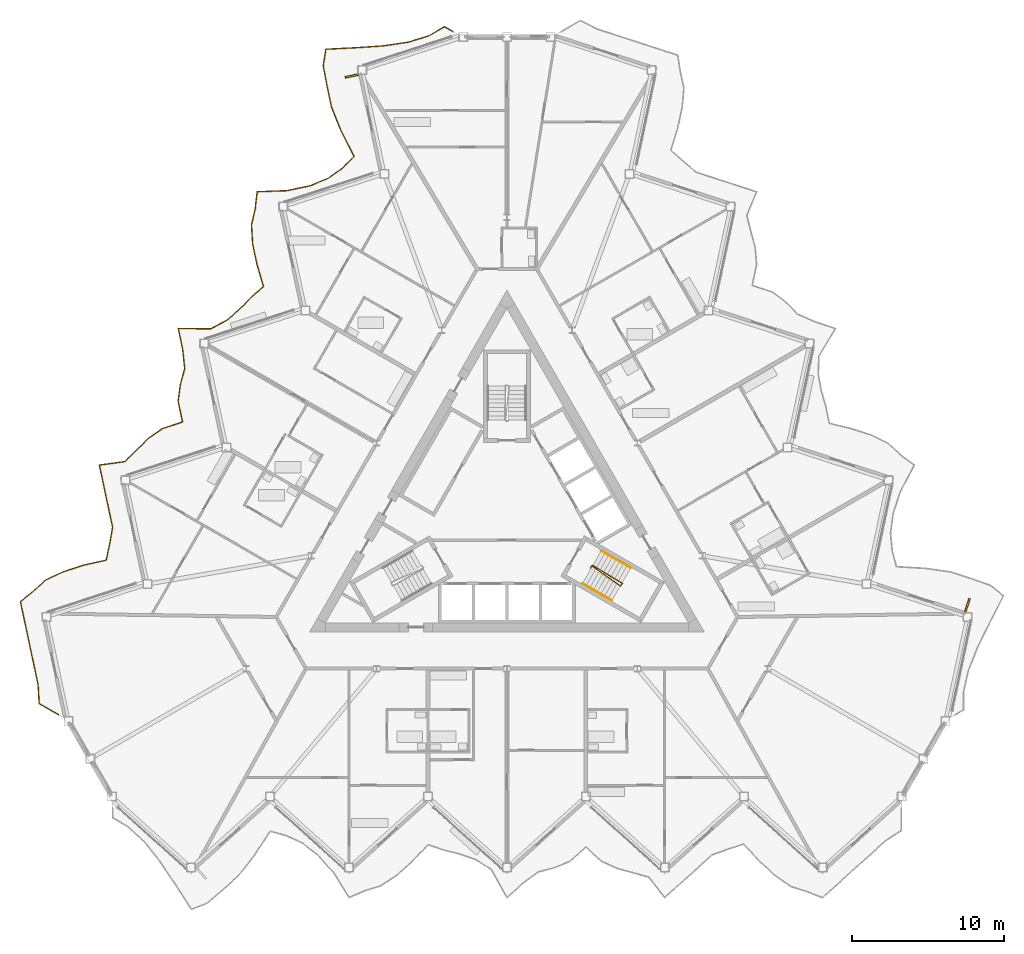
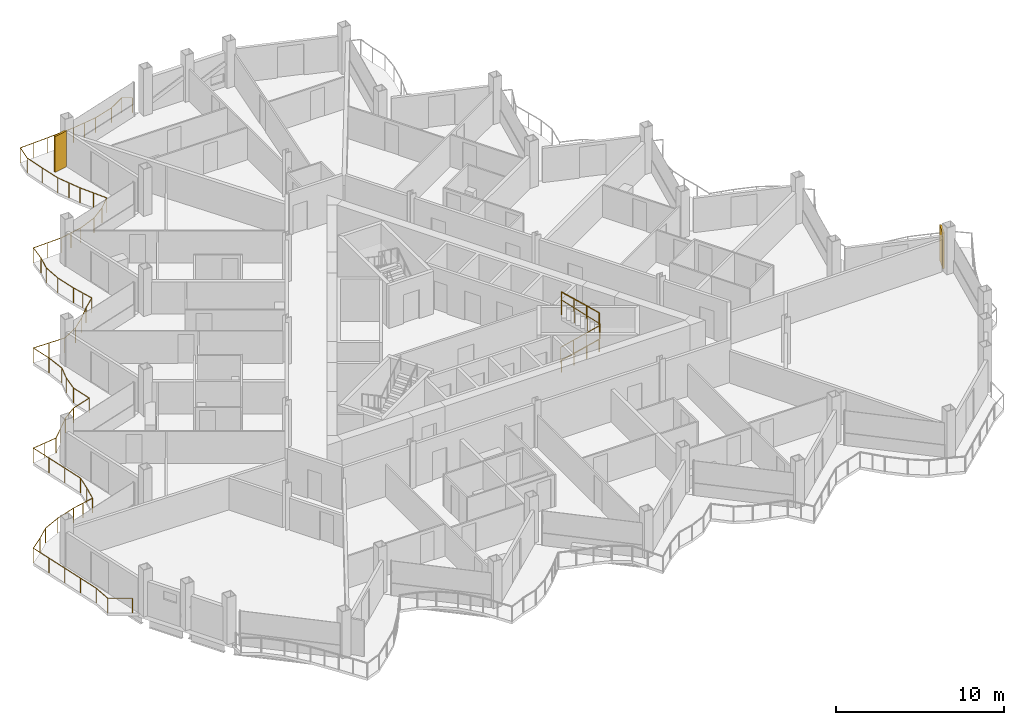
# One storey, part 23 of 26: 4 railings, 2 shading devices.
"""IFC4 building model written with IfcOpenShell, lengths in metres."""

import ifcopenshell
import ifcopenshell.guid

model = None  # the IFC model being written
_history = None  # IfcOwnerHistory: only IFC2X3 demands one
_inside = {}  # id of a spatial element -> (the spatial element, [elements in it])
_under = {}  # id of a project, library or spatial element -> (it, [spatial elements below it])
_declared = {}  # id of a project -> (the project, [libraries it declares])
_typed = {}  # id of a type object -> (the type object, [elements of that type])
_made_of = {}  # id of a material, layer set ... -> (it, [elements and type objects made of it])


def new_model(schema):
    """Start an empty IFC model of exactly this schema.

    Asked for "IFC4X3", IfcOpenShell would pick the latest addendum, in which some entities
    have other attributes; the version numbers below select the first issue.
    IFC2X3 requires an IfcOwnerHistory on every rooted entity: one is made here for all.
    """
    global model, _history
    if schema == "IFC4X3":
        model = ifcopenshell.file(schema_version=(4, 3, 0, 0))
    else:
        model = ifcopenshell.file(schema=schema)
    _inside.clear()
    _under.clear()
    _declared.clear()
    _typed.clear()
    _made_of.clear()
    _history = None
    if model.schema == "IFC2X3":
        org = make("IfcOrganization", Name="unknown")
        user = make(
            "IfcPersonAndOrganization",
            ThePerson=make("IfcPerson", FamilyName="unknown"),
            TheOrganization=org,
        )
        app = make(
            "IfcApplication",
            ApplicationDeveloper=org,
            Version="unknown",
            ApplicationFullName="unknown",
            ApplicationIdentifier="unknown",
        )
        _history = make(
            "IfcOwnerHistory",
            OwningUser=user,
            OwningApplication=app,
            ChangeAction="ADDED",
            CreationDate=0,
        )
    return model


def make(cls, **values):
    """One entity of the class cls with the attributes given. An attribute that is None is left unset."""
    return model.create_entity(
        cls, **{name: value for name, value in values.items() if value is not None}
    )


def rooted(cls, **values):
    """An entity with a GlobalId (a new one), such as an element, a storey or a relation."""
    return make(cls, GlobalId=ifcopenshell.guid.new(), OwnerHistory=_history, **values)


def si_unit(unit_type, name, prefix=None):
    """IfcSIUnit, for example si_unit("LENGTHUNIT", "METRE", prefix="MILLI")."""
    return make("IfcSIUnit", UnitType=unit_type, Prefix=prefix, Name=name)


def assignment(units):
    """IfcUnitAssignment: the units of a project."""
    return None if units is None else make("IfcUnitAssignment", Units=units)


def point(xyz):
    """IfcCartesianPoint."""
    return None if xyz is None else make("IfcCartesianPoint", Coordinates=xyz)


def direction(xyz):
    """IfcDirection."""
    return None if xyz is None else make("IfcDirection", DirectionRatios=xyz)


def frame(location, z_axis=None, x_axis=None):
    """IfcAxis2Placement3D, a coordinate frame: its origin and axes. An axis left out is left unset."""
    return make(
        "IfcAxis2Placement3D",
        Location=point(location),
        Axis=direction(z_axis),
        RefDirection=direction(x_axis),
    )


def frame_2d(location, x_axis=None):
    """IfcAxis2Placement2D, a coordinate frame in the plane: its origin and x axis."""
    return make(
        "IfcAxis2Placement2D", Location=point(location), RefDirection=direction(x_axis)
    )


def origin():
    """The frame at (0, 0, 0) with its axes left unset."""
    return frame((0.0, 0.0, 0.0))


def origin_2d():
    """The frame at (0, 0) in the plane with its x axis left unset."""
    return frame_2d((0.0, 0.0))


def place(relative_to, where):
    """IfcLocalPlacement: puts the frame where relative to a parent placement (None: the world)."""
    return make(
        "IfcLocalPlacement", PlacementRelTo=relative_to, RelativePlacement=where
    )


def context(
    kind, dimensions, precision=None, world=None, true_north=None, identifier=None
):
    """IfcGeometricRepresentationContext, for example the 3D "Model" context."""
    return make(
        "IfcGeometricRepresentationContext",
        ContextIdentifier=identifier,
        ContextType=kind,
        CoordinateSpaceDimension=dimensions,
        Precision=precision,
        WorldCoordinateSystem=world,
        TrueNorth=true_north,
    )


def subcontext(parent, identifier, kind, view, scale=None):
    """IfcGeometricRepresentationSubContext, for example "Body" below "Model"."""
    return make(
        "IfcGeometricRepresentationSubContext",
        ContextIdentifier=identifier,
        ContextType=kind,
        ParentContext=parent,
        TargetScale=scale,
        TargetView=view,
    )


def project(units=None, contexts=None):
    """IfcProject with its units and contexts."""
    return rooted(
        "IfcProject",
        Name="project",
        RepresentationContexts=contexts,
        UnitsInContext=assignment(units),
    )


def spatial(cls, under=None, at=None, **own):
    """A site, building, storey or space (cls), placed at a placement, below another one or the project."""
    s = rooted(cls, ObjectPlacement=at, **own)
    if under is not None:
        _under.setdefault(under.id(), (under, []))[1].append(s)
    return s


def profile(cls, at=None, kind="AREA", **sizes):
    """A parametric profile (cls). Its sizes go by their IFC names, for example OverallWidth=200.0."""
    return make(cls, ProfileType=kind, Position=at, **sizes)


def rectangle(**sizes):
    """IfcRectangleProfileDef."""
    return profile("IfcRectangleProfileDef", **sizes)


def circle(**sizes):
    """IfcCircleProfileDef."""
    return profile("IfcCircleProfileDef", **sizes)


def extrude(swept, where, along, depth):
    """IfcExtrudedAreaSolid: the profile swept, set in the frame where, extruded along a direction by depth."""
    return make(
        "IfcExtrudedAreaSolid",
        SweptArea=swept,
        Position=where,
        ExtrudedDirection=direction(along),
        Depth=depth,
    )


def shape(context_of_items, identifier, shape_type, items):
    """IfcShapeRepresentation: the items that make up one representation, for example the "Body"."""
    return make(
        "IfcShapeRepresentation",
        ContextOfItems=context_of_items,
        RepresentationIdentifier=identifier,
        RepresentationType=shape_type,
        Items=items,
    )


def material(Name=None, Category=None):
    """IfcMaterial."""
    return make("IfcMaterial", Name=Name, Category=Category)


def layer(
    of_material, thickness, ventilated=None, Name=None, Category=None, Priority=None
):
    """IfcMaterialLayer: one layer of a wall or slab, of a material (None: an air gap)."""
    return make(
        "IfcMaterialLayer",
        Material=of_material,
        LayerThickness=thickness,
        IsVentilated=ventilated,
        Name=Name,
        Category=Category,
        Priority=Priority,
    )


def layer_set(layers, Name=None):
    """IfcMaterialLayerSet."""
    return make("IfcMaterialLayerSet", MaterialLayers=layers, LayerSetName=Name)


def made_of(thing, what):
    """Note that an element or type object is made of a material, layer set ...; save() writes the relation."""
    if what is not None:
        _made_of.setdefault(what.id(), (what, []))[1].append(thing)
    return thing


def type_object(cls, material=None, **own):
    """A type object (cls), such as IfcWallType, which elements share."""
    return made_of(rooted(cls, **own), material)


def element(
    cls,
    number,
    at=None,
    inside=None,
    cuts=None,
    type_object=None,
    material=None,
    context=None,
    identifier="Body",
    shape_type=None,
    held_by="IfcProductDefinitionShape",
    body=None,
    shapes=None,
    **own,
):
    """One element of the class cls, such as IfcWall. Its Tag is "e" and its number.

    at: its placement. inside: the storey or other place that contains it. cuts: it is an
    opening in that element (IfcRelVoidsElement). A single representation is given by context,
    identifier, shape_type and body (its items); several are given by shapes. held_by: the class
    of the entity that holds the representations. save() writes the other relations.
    """
    e = rooted(cls, Tag="e%d" % number, ObjectPlacement=at, **own)
    if body is not None:
        shapes = [shape(context, identifier, shape_type, body)]
    if shapes is not None:
        e.Representation = make(held_by, Representations=shapes)
    if inside is not None:
        _inside.setdefault(inside.id(), (inside, []))[1].append(e)
    if cuts is not None:
        rooted(
            "IfcRelVoidsElement", RelatingBuildingElement=cuts, RelatedOpeningElement=e
        )
    if type_object is not None:
        _typed.setdefault(type_object.id(), (type_object, []))[1].append(e)
    return made_of(e, material)


def aggregate(whole, parts):
    """IfcRelAggregates: a whole, such as a stair, and the parts it consists of."""
    return rooted("IfcRelAggregates", RelatingObject=whole, RelatedObjects=parts)


def save(model, path):
    """Write the relations noted so far, then the file.

    IfcRelAggregates (storeys below a building ...), IfcRelContainedInSpatialStructure (elements
    in a storey), IfcRelDefinesByType, IfcRelAssociatesMaterial and IfcRelDeclares: one each for
    every whole, place, type object, material and project.
    """
    for whole, parts in _under.values():
        aggregate(whole, parts)
    for where, things in _inside.values():
        rooted(
            "IfcRelContainedInSpatialStructure",
            RelatedElements=things,
            RelatingStructure=where,
        )
    for kind, things in _typed.values():
        rooted("IfcRelDefinesByType", RelatedObjects=things, RelatingType=kind)
    for what, things in _made_of.values():
        rooted("IfcRelAssociatesMaterial", RelatedObjects=things, RelatingMaterial=what)
    for by, libraries in _declared.values():
        rooted("IfcRelDeclares", RelatingContext=by, RelatedDefinitions=libraries)
    model.write(path)


model = new_model("IFC4")

# Units and contexts
model_context = context("Model", 3, precision=1e-05, world=origin(), true_north=direction((0.0, 1.0)))
body_context = subcontext(model_context, "Body", "Model", "MODEL_VIEW")
ifc_project = project(units=[si_unit("LENGTHUNIT", "METRE"), si_unit("AREAUNIT", "SQUARE_METRE"), si_unit("VOLUMEUNIT", "CUBIC_METRE"), si_unit("PLANEANGLEUNIT", "RADIAN"), si_unit("MASSUNIT", "GRAM", prefix="KILO")], contexts=[model_context])

# Site, building, storey
site_placement = place(None, origin())
site = spatial("IfcSite", under=ifc_project, at=site_placement, CompositionType="ELEMENT")
building_placement = place(site_placement, origin())
building = spatial("IfcBuilding", under=site, at=building_placement, Name="Cormorant Prow Tower", CompositionType="ELEMENT")
storey_placement = place(building_placement, frame((0.0, 0.0, 329.0)))
storey = spatial("IfcBuildingStorey", under=building, at=storey_placement, Name="L73", CompositionType="ELEMENT", Elevation=329.0)

# Railings
ifc_material_1 = material(Name="Aluminium 6063-T6", Category="aluminium")
railing_type_1 = type_object("IfcRailingType", Name="Balcony guard 1100", PredefinedType="GUARDRAIL", material=ifc_material_1)
railing_1_placement = place(storey_placement, frame((-3.552734375, 32.042724609375, 0.0)))
element("IfcRailing", 1, at=railing_1_placement, inside=storey, type_object=railing_type_1, Name="Balcony guard WNW", PredefinedType="GUARDRAIL", context=body_context, shape_type="SweptSolid", body=[
    extrude(circle(Radius=0.02392578125, at=origin_2d()), frame((0.0, 0.0, 1.076171875), z_axis=(-0.865942655036, 0.500143297656, 0.0), x_axis=(-0.500143297656, -0.865942655036, 0.0)), (0.0, 0.0, 1.0), 0.635986328125),
    extrude(circle(Radius=0.02392578125, at=origin_2d()), frame((-0.55078125, 0.318115234375, 1.076171875), z_axis=(-0.867592362836, -0.497276072166, 0.0), x_axis=(0.497276072166, -0.867592362836, 0.0)), (0.0, 0.0, 1.0), 1.201904296875),
    extrude(circle(Radius=0.02392578125, at=origin_2d()), frame((-1.593505859375, -0.279541015625, 1.076171875), z_axis=(-0.955146594273, -0.296133387932, 0.0), x_axis=(0.296133387932, -0.955146594273, 0.0)), (0.0, 0.0, 1.0), 1.41552734375),
    extrude(circle(Radius=0.02392578125, at=origin_2d()), frame((-2.945556640625, -0.69873046875, 1.076171875), z_axis=(-0.989266853601, -0.146120129918, 0.0), x_axis=(0.146120129918, -0.989266853601, 0.0)), (0.0, 0.0, 1.0), 1.672607421875),
    extrude(circle(Radius=0.02392578125, at=origin_2d()), frame((-4.60009765625, -0.943115234375, 1.076171875), z_axis=(-0.997771824229, -0.066718713827, 0.0), x_axis=(0.066718713827, -0.997771824229, 0.0)), (0.0, 0.0, 1.0), 1.8662109375),
    extrude(circle(Radius=0.02392578125, at=origin_2d()), frame((-6.462158203125, -1.067626953125, 1.076171875), z_axis=(-0.998756785934, -0.049848596285, 0.0), x_axis=(0.049848596285, -0.998756785934, 0.0)), (0.0, 0.0, 1.0), 1.9150390625),
    extrude(circle(Radius=0.02392578125, at=origin_2d()), frame((-8.374755859375, -1.1630859375, 1.076171875), z_axis=(-0.154330068831, -0.988019346903, 0.0), x_axis=(0.988019346903, -0.154330068831, 0.0)), (0.0, 0.0, 1.0), 1.11376953125),
    extrude(circle(Radius=0.02392578125, at=origin_2d()), frame((-8.546630859375, -2.263427734375, 1.076171875), z_axis=(0.185482522834, -0.982647563332, 0.0), x_axis=(0.982647563332, 0.185482522834, 0.0)), (0.0, 0.0, 1.0), 1.3701171875),
    extrude(circle(Radius=0.02392578125, at=origin_2d()), frame((-8.29248046875, -3.60986328125, 1.076171875), z_axis=(0.207954815096, -0.978138433392, 0.0), x_axis=(0.978138433392, 0.207954815096, 0.0)), (0.0, 0.0, 1.0), 1.398193359375),
    extrude(circle(Radius=0.02392578125, at=origin_2d()), frame((-8.001708984375, -4.9775390625, 1.076171875), z_axis=(0.372940159502, -0.927855396832, 0.0), x_axis=(0.927855396832, 0.372940159502, 0.0)), (0.0, 0.0, 1.0), 1.683837890625),
    extrude(circle(Radius=0.02392578125, at=origin_2d()), frame((-7.373779296875, -6.539794921875, 1.076171875), z_axis=(0.450609247679, -0.892721292401, 0.0), x_axis=(0.892721292401, 0.450609247679, 0.0)), (0.0, 0.0, 1.0), 1.896240234375),
    extrude(circle(Radius=0.02392578125, at=origin_2d()), frame((-6.519287109375, -8.232666015625, 1.076171875), z_axis=(-0.709370954511, -0.704835334597, 0.0), x_axis=(0.704835334597, -0.709370954511, 0.0)), (0.0, 0.0, 1.0), 1.07666015625),
    extrude(circle(Radius=0.02392578125, at=origin_2d()), frame((-7.282958984375, -8.991455078125, 1.076171875), z_axis=(-0.812908325419, -0.582391667579, 0.0), x_axis=(0.582391667579, -0.812908325419, 0.0)), (0.0, 0.0, 1.0), 1.140625),
    extrude(circle(Radius=0.02392578125, at=origin_2d()), frame((-8.210205078125, -9.65576171875, 1.076171875), z_axis=(-0.923841835791, -0.382774427624, 0.0), x_axis=(0.382774427624, -0.923841835791, 0.0)), (0.0, 0.0, 1.0), 1.309326171875),
    extrude(circle(Radius=0.02392578125, at=origin_2d()), frame((-9.419921875, -10.156982421875, 1.076171875), z_axis=(-0.978977815061, -0.20396675616, 0.0), x_axis=(0.20396675616, -0.978977815061, 0.0)), (0.0, 0.0, 1.0), 1.5595703125),
    extrude(circle(Radius=0.02392578125, at=origin_2d()), frame((-10.94677734375, -10.47509765625, 1.076171875), z_axis=(-0.999311062654, -0.037113340704, 0.0), x_axis=(0.037113340704, -0.999311062654, 0.0)), (0.0, 0.0, 1.0), 1.953857421875),
    extrude(circle(Radius=0.02392578125, at=origin_2d()), frame((-12.899169921875, -10.547607421875, 1.076171875), z_axis=(-0.110644159424, -0.993860085719, 0.0), x_axis=(0.993860085719, -0.110644159424, 0.0)), (0.0, 0.0, 1.0), 1.13427734375),
    extrude(circle(Radius=0.02392578125, at=origin_2d()), frame((-13.024658203125, -11.6748046875, 1.076171875), z_axis=(-0.225893573329, -0.974151986873, 0.0), x_axis=(0.974151986873, -0.225893573329, 0.0)), (0.0, 0.0, 1.0), 1.086181640625),
    extrude(circle(Radius=0.02392578125, at=origin_2d()), frame((-13.27001953125, -12.73291015625, 1.076171875), z_axis=(0.059262671878, -0.998242423323, 0.0), x_axis=(0.998242423323, 0.059262671878, 0.0)), (0.0, 0.0, 1.0), 1.244140625),
    extrude(circle(Radius=0.02392578125, at=origin_2d()), frame((-13.1962890625, -13.974853515625, 1.076171875), z_axis=(0.20778775162, -0.978173936617, 0.0), x_axis=(0.978173936617, 0.20778775162, 0.0)), (0.0, 0.0, 1.0), 1.398193359375),
    extrude(circle(Radius=0.02392578125, at=origin_2d()), frame((-12.90576171875, -15.342529296875, 1.076171875), z_axis=(0.281102933169, -0.959677623457, 0.0), x_axis=(0.959677623457, 0.281102933169, 0.0)), (0.0, 0.0, 1.0), 1.504150390625),
    extrude(circle(Radius=0.02392578125, at=origin_2d()), frame((-12.48291015625, -16.7861328125, 1.076171875), z_axis=(-0.750032788216, -0.661400647566, 0.0), x_axis=(0.661400647566, -0.750032788216, 0.0)), (0.0, 0.0, 1.0), 1.09619140625),
    extrude(circle(Radius=0.02392578125, at=origin_2d()), frame((-13.30517578125, -17.51123046875, 1.076171875), z_axis=(-0.693869586503, -0.72010068527, 0.0), x_axis=(0.72010068527, -0.693869586503, 0.0)), (0.0, 0.0, 1.0), 1.0703125),
    extrude(circle(Radius=0.02392578125, at=origin_2d()), frame((-14.0478515625, -18.281982421875, 1.076171875), z_axis=(-0.759115778232, -0.650955632312, 0.0), x_axis=(0.650955632312, -0.759115778232, 0.0)), (0.0, 0.0, 1.0), 1.1015625),
    extrude(circle(Radius=0.02392578125, at=origin_2d()), frame((-14.884033203125, -18.9990234375, 1.076171875), z_axis=(-0.880156171163, -0.474684225948, 0.0), x_axis=(0.474684225948, -0.880156171163, 0.0)), (0.0, 0.0, 1.0), 1.220458984375),
    extrude(circle(Radius=0.02392578125, at=origin_2d()), frame((-15.958251953125, -19.578369140625, 1.076171875), z_axis=(-0.999877393438, 0.015658802344, 0.0), x_axis=(-0.015658802344, -0.999877393438, 0.0)), (0.0, 0.0, 1.0), 2.135986328125),
    extrude(circle(Radius=0.02392578125, at=origin_2d()), frame((-18.093994140625, -19.544921875, 1.076171875), z_axis=(0.207990337228, -0.978130880619, 0.0), x_axis=(0.978130880619, 0.207990337228, 0.0)), (0.0, 0.0, 1.0), 1.39794921875),
    extrude(circle(Radius=0.02392578125, at=origin_2d()), frame((-17.80322265625, -20.912353515625, 1.076171875), z_axis=(0.107350103954, -0.994221280793, 0.0), x_axis=(0.994221280793, 0.107350103954, 0.0)), (0.0, 0.0, 1.0), 1.287109375),
    extrude(circle(Radius=0.02392578125, at=origin_2d()), frame((-17.6650390625, -22.192138671875, 1.076171875), z_axis=(-0.267620389607, -0.963524429927, 0.0), x_axis=(0.963524429927, -0.267620389607, 0.0)), (0.0, 0.0, 1.0), 1.07275390625),
    extrude(circle(Radius=0.02392578125, at=origin_2d()), frame((-17.9521484375, -23.225830078125, 1.076171875), z_axis=(-0.132078343747, -0.991239280453, 0.0), x_axis=(0.991239280453, -0.132078343747, 0.0)), (0.0, 0.0, 1.0), 1.123779296875),
    extrude(circle(Radius=0.02392578125, at=origin_2d()), frame((-18.1005859375, -24.33984375, 1.076171875), z_axis=(0.207954815096, -0.978138433392, 0.0), x_axis=(0.978138433392, 0.207954815096, 0.0)), (0.0, 0.0, 1.0), 1.398193359375),
    extrude(circle(Radius=0.02392578125, at=origin_2d()), frame((-17.809814453125, -25.70751953125, 1.076171875), z_axis=(-0.95108282544, -0.308936011422, 0.0), x_axis=(0.308936011422, -0.95108282544, 0.0)), (0.0, 0.0, 1.0), 1.39794921875),
    extrude(circle(Radius=0.02392578125, at=origin_2d()), frame((-19.139404296875, -26.139404296875, 1.076171875), z_axis=(-0.817192442339, -0.576364912347, 0.0), x_axis=(0.576364912347, -0.817192442339, 0.0)), (0.0, 0.0, 1.0), 1.14453125),
    extrude(circle(Radius=0.02392578125, at=origin_2d()), frame((-20.07470703125, -26.799072265625, 1.076171875), z_axis=(-0.704602966068, -0.7096017617, 0.0), x_axis=(0.7096017617, -0.704602966068, 0.0)), (0.0, 0.0, 1.0), 1.074462890625),
    extrude(circle(Radius=0.02392578125, at=origin_2d()), frame((-20.831787109375, -27.5615234375, 1.076171875), z_axis=(-0.716762582334, -0.697317288302, 0.0), x_axis=(0.697317288302, -0.716762582334, 0.0)), (0.0, 0.0, 1.0), 1.079833984375),
    extrude(circle(Radius=0.02392578125, at=origin_2d()), frame((-21.605712890625, -28.314453125, 1.076171875), z_axis=(-0.990944412172, -0.134272752208, 0.0), x_axis=(0.134272752208, -0.990944412172, 0.0)), (0.0, 0.0, 1.0), 1.6982421875),
    extrude(circle(Radius=0.02392578125, at=origin_2d()), frame((-23.28857421875, -28.54248046875, 1.076171875), z_axis=(0.207823247792, -0.9781663957, 0.0), x_axis=(0.9781663957, 0.207823247792, 0.0)), (0.0, 0.0, 1.0), 1.39794921875),
    extrude(circle(Radius=0.02392578125, at=origin_2d()), frame((-22.998046875, -29.909912109375, 1.076171875), z_axis=(0.207990337228, -0.978130880619, 0.0), x_axis=(0.978130880619, 0.207990337228, 0.0)), (0.0, 0.0, 1.0), 1.39794921875),
    extrude(circle(Radius=0.02392578125, at=origin_2d()), frame((-22.707275390625, -31.27734375, 1.076171875), z_axis=(0.20778775162, -0.978173936617, 0.0), x_axis=(0.978173936617, 0.20778775162, 0.0)), (0.0, 0.0, 1.0), 1.398193359375),
    extrude(circle(Radius=0.02392578125, at=origin_2d()), frame((-22.416748046875, -32.64501953125, 1.076171875), z_axis=(-0.171695073969, -0.985150141641, 0.0), x_axis=(0.985150141641, -0.171695073969, 0.0)), (0.0, 0.0, 1.0), 1.106201171875),
    extrude(circle(Radius=0.02392578125, at=origin_2d()), frame((-22.606689453125, -33.73486328125, 1.076171875), z_axis=(-0.210720517244, -0.977546348575, 0.0), x_axis=(0.977546348575, -0.210720517244, 0.0)), (0.0, 0.0, 1.0), 1.09130859375),
    extrude(circle(Radius=0.02392578125, at=origin_2d()), frame((-22.836669921875, -34.8017578125, 1.076171875), z_axis=(-0.975845165499, -0.218463298913, 0.0), x_axis=(0.218463298913, -0.975845165499, 0.0)), (0.0, 0.0, 1.0), 1.534423828125),
    extrude(circle(Radius=0.02392578125, at=origin_2d()), frame((-24.333984375, -35.136962890625, 1.076171875), z_axis=(-0.95108282544, -0.308936011422, 0.0), x_axis=(0.308936011422, -0.95108282544, 0.0)), (0.0, 0.0, 1.0), 1.39794921875),
    extrude(circle(Radius=0.02392578125, at=origin_2d()), frame((-25.66357421875, -35.56884765625, 1.076171875), z_axis=(-0.906546522167, -0.422105914608, 0.0), x_axis=(0.422105914608, -0.906546522167, 0.0)), (0.0, 0.0, 1.0), 1.26904296875),
    extrude(circle(Radius=0.02392578125, at=origin_2d()), frame((-26.81396484375, -36.1044921875, 1.076171875), z_axis=(-0.738732761522, -0.673998447368, 0.0), x_axis=(0.673998447368, -0.738732761522, 0.0)), (0.0, 0.0, 1.0), 1.08984375),
    extrude(circle(Radius=0.02392578125, at=origin_2d()), frame((-27.619140625, -36.839111328125, 1.076171875), z_axis=(-0.776677419961, -0.629898551612, 0.0), x_axis=(0.629898551612, -0.776677419961, 0.0)), (0.0, 0.0, 1.0), 1.11279296875),
    extrude(circle(Radius=0.02392578125, at=origin_2d()), frame((-28.4833984375, -37.5400390625, 1.076171875), z_axis=(0.207823247792, -0.9781663957, 0.0), x_axis=(0.9781663957, 0.207823247792, 0.0)), (0.0, 0.0, 1.0), 1.39794921875),
    extrude(circle(Radius=0.02392578125, at=origin_2d()), frame((-28.19287109375, -38.907470703125, 1.076171875), z_axis=(0.207990337228, -0.978130880619, 0.0), x_axis=(0.978130880619, 0.207990337228, 0.0)), (0.0, 0.0, 1.0), 1.39794921875),
    extrude(circle(Radius=0.02392578125, at=origin_2d()), frame((-27.902099609375, -40.27490234375, 1.076171875), z_axis=(0.207990337228, -0.978130880619, 0.0), x_axis=(0.978130880619, 0.207990337228, 0.0)), (0.0, 0.0, 1.0), 1.39794921875),
    extrude(circle(Radius=0.02392578125, at=origin_2d()), frame((-27.611328125, -41.642333984375, 1.076171875), z_axis=(0.207954815096, -0.978138433392, 0.0), x_axis=(0.978138433392, 0.207954815096, 0.0)), (0.0, 0.0, 1.0), 1.398193359375),
    extrude(circle(Radius=0.02392578125, at=origin_2d()), frame((-27.320556640625, -43.010009765625, 1.076171875), z_axis=(0.058307709242, -0.99829865824, 0.0), x_axis=(0.99829865824, 0.058307709242, 0.0)), (0.0, 0.0, 1.0), 1.24365234375),
    extrude(circle(Radius=0.02392578125, at=origin_2d()), frame((-27.248046875, -44.25146484375, 1.076171875), z_axis=(0.866050237424, -0.499956984408, 0.0), x_axis=(0.499956984408, 0.866050237424, 0.0)), (0.0, 0.0, 1.0), 1.471923828125),
    extrude(circle(Radius=0.02099609375, at=origin_2d()), origin(), (0.0, 0.0, 1.0), 1.052001953125),
    extrude(circle(Radius=0.02099609375, at=origin_2d()), frame((-0.55078125, 0.318115234375, 0.0)), (0.0, 0.0, 1.0), 1.052001953125),
    extrude(circle(Radius=0.02099609375, at=origin_2d()), frame((-1.593505859375, -0.279541015625, 0.0)), (0.0, 0.0, 1.0), 1.052001953125),
    extrude(circle(Radius=0.02099609375, at=origin_2d()), frame((-2.945556640625, -0.69873046875, 0.0)), (0.0, 0.0, 1.0), 1.052001953125),
    extrude(circle(Radius=0.02099609375, at=origin_2d()), frame((-3.77294921875, -0.82080078125, 0.0)), (0.0, 0.0, 1.0), 1.052001953125),
    extrude(circle(Radius=0.02099609375, at=origin_2d()), frame((-4.60009765625, -0.943115234375, 0.0)), (0.0, 0.0, 1.0), 1.052001953125),
    extrude(circle(Radius=0.02099609375, at=origin_2d()), frame((-5.53125, -1.00537109375, 0.0)), (0.0, 0.0, 1.0), 1.052001953125),
    extrude(circle(Radius=0.02099609375, at=origin_2d()), frame((-6.462158203125, -1.067626953125, 0.0)), (0.0, 0.0, 1.0), 1.052001953125),
    extrude(circle(Radius=0.02099609375, at=origin_2d()), frame((-7.41845703125, -1.115234375, 0.0)), (0.0, 0.0, 1.0), 1.052001953125),
    extrude(circle(Radius=0.02099609375, at=origin_2d()), frame((-8.374755859375, -1.1630859375, 0.0)), (0.0, 0.0, 1.0), 1.052001953125),
    extrude(circle(Radius=0.02099609375, at=origin_2d()), frame((-8.546630859375, -2.263427734375, 0.0)), (0.0, 0.0, 1.0), 1.052001953125),
    extrude(circle(Radius=0.02099609375, at=origin_2d()), frame((-8.29248046875, -3.60986328125, 0.0)), (0.0, 0.0, 1.0), 1.052001953125),
    extrude(circle(Radius=0.02099609375, at=origin_2d()), frame((-8.001708984375, -4.9775390625, 0.0)), (0.0, 0.0, 1.0), 1.052001953125),
    extrude(circle(Radius=0.02099609375, at=origin_2d()), frame((-7.687744140625, -5.7587890625, 0.0)), (0.0, 0.0, 1.0), 1.052001953125),
    extrude(circle(Radius=0.02099609375, at=origin_2d()), frame((-7.373779296875, -6.539794921875, 0.0)), (0.0, 0.0, 1.0), 1.052001953125),
    extrude(circle(Radius=0.02099609375, at=origin_2d()), frame((-6.946533203125, -7.38623046875, 0.0)), (0.0, 0.0, 1.0), 1.052001953125),
    extrude(circle(Radius=0.02099609375, at=origin_2d()), frame((-6.519287109375, -8.232666015625, 0.0)), (0.0, 0.0, 1.0), 1.052001953125),
    extrude(circle(Radius=0.02099609375, at=origin_2d()), frame((-7.282958984375, -8.991455078125, 0.0)), (0.0, 0.0, 1.0), 1.052001953125),
    extrude(circle(Radius=0.02099609375, at=origin_2d()), frame((-8.210205078125, -9.65576171875, 0.0)), (0.0, 0.0, 1.0), 1.052001953125),
    extrude(circle(Radius=0.02099609375, at=origin_2d()), frame((-9.419921875, -10.156982421875, 0.0)), (0.0, 0.0, 1.0), 1.052001953125),
    extrude(circle(Radius=0.02099609375, at=origin_2d()), frame((-10.183349609375, -10.31591796875, 0.0)), (0.0, 0.0, 1.0), 1.052001953125),
    extrude(circle(Radius=0.02099609375, at=origin_2d()), frame((-10.94677734375, -10.47509765625, 0.0)), (0.0, 0.0, 1.0), 1.052001953125),
    extrude(circle(Radius=0.02099609375, at=origin_2d()), frame((-11.9228515625, -10.51123046875, 0.0)), (0.0, 0.0, 1.0), 1.052001953125),
    extrude(circle(Radius=0.02099609375, at=origin_2d()), frame((-12.899169921875, -10.547607421875, 0.0)), (0.0, 0.0, 1.0), 1.052001953125),
    extrude(circle(Radius=0.02099609375, at=origin_2d()), frame((-13.024658203125, -11.6748046875, 0.0)), (0.0, 0.0, 1.0), 1.052001953125),
    extrude(circle(Radius=0.02099609375, at=origin_2d()), frame((-13.27001953125, -12.73291015625, 0.0)), (0.0, 0.0, 1.0), 1.052001953125),
    extrude(circle(Radius=0.02099609375, at=origin_2d()), frame((-13.1962890625, -13.974853515625, 0.0)), (0.0, 0.0, 1.0), 1.052001953125),
    extrude(circle(Radius=0.02099609375, at=origin_2d()), frame((-12.90576171875, -15.342529296875, 0.0)), (0.0, 0.0, 1.0), 1.052001953125),
    extrude(circle(Radius=0.02099609375, at=origin_2d()), frame((-12.6943359375, -16.064453125, 0.0)), (0.0, 0.0, 1.0), 1.052001953125),
    extrude(circle(Radius=0.02099609375, at=origin_2d()), frame((-12.48291015625, -16.7861328125, 0.0)), (0.0, 0.0, 1.0), 1.052001953125),
    extrude(circle(Radius=0.02099609375, at=origin_2d()), frame((-13.30517578125, -17.51123046875, 0.0)), (0.0, 0.0, 1.0), 1.052001953125),
    extrude(circle(Radius=0.02099609375, at=origin_2d()), frame((-14.0478515625, -18.281982421875, 0.0)), (0.0, 0.0, 1.0), 1.052001953125),
    extrude(circle(Radius=0.02099609375, at=origin_2d()), frame((-14.884033203125, -18.9990234375, 0.0)), (0.0, 0.0, 1.0), 1.052001953125),
    extrude(circle(Radius=0.02099609375, at=origin_2d()), frame((-15.958251953125, -19.578369140625, 0.0)), (0.0, 0.0, 1.0), 1.052001953125),
    extrude(circle(Radius=0.02099609375, at=origin_2d()), frame((-17.026123046875, -19.5615234375, 0.0)), (0.0, 0.0, 1.0), 1.052001953125),
    extrude(circle(Radius=0.02099609375, at=origin_2d()), frame((-18.093994140625, -19.544921875, 0.0)), (0.0, 0.0, 1.0), 1.052001953125),
    extrude(circle(Radius=0.02099609375, at=origin_2d()), frame((-17.80322265625, -20.912353515625, 0.0)), (0.0, 0.0, 1.0), 1.052001953125),
    extrude(circle(Radius=0.02099609375, at=origin_2d()), frame((-17.6650390625, -22.192138671875, 0.0)), (0.0, 0.0, 1.0), 1.052001953125),
    extrude(circle(Radius=0.02099609375, at=origin_2d()), frame((-17.9521484375, -23.225830078125, 0.0)), (0.0, 0.0, 1.0), 1.052001953125),
    extrude(circle(Radius=0.02099609375, at=origin_2d()), frame((-18.1005859375, -24.33984375, 0.0)), (0.0, 0.0, 1.0), 1.052001953125),
    extrude(circle(Radius=0.02099609375, at=origin_2d()), frame((-17.809814453125, -25.70751953125, 0.0)), (0.0, 0.0, 1.0), 1.052001953125),
    extrude(circle(Radius=0.02099609375, at=origin_2d()), frame((-19.139404296875, -26.139404296875, 0.0)), (0.0, 0.0, 1.0), 1.052001953125),
    extrude(circle(Radius=0.02099609375, at=origin_2d()), frame((-20.07470703125, -26.799072265625, 0.0)), (0.0, 0.0, 1.0), 1.052001953125),
    extrude(circle(Radius=0.02099609375, at=origin_2d()), frame((-20.831787109375, -27.5615234375, 0.0)), (0.0, 0.0, 1.0), 1.052001953125),
    extrude(circle(Radius=0.02099609375, at=origin_2d()), frame((-21.605712890625, -28.314453125, 0.0)), (0.0, 0.0, 1.0), 1.052001953125),
    extrude(circle(Radius=0.02099609375, at=origin_2d()), frame((-22.447265625, -28.428466796875, 0.0)), (0.0, 0.0, 1.0), 1.052001953125),
    extrude(circle(Radius=0.02099609375, at=origin_2d()), frame((-23.28857421875, -28.54248046875, 0.0)), (0.0, 0.0, 1.0), 1.052001953125),
    extrude(circle(Radius=0.02099609375, at=origin_2d()), frame((-22.998046875, -29.909912109375, 0.0)), (0.0, 0.0, 1.0), 1.052001953125),
    extrude(circle(Radius=0.02099609375, at=origin_2d()), frame((-22.707275390625, -31.27734375, 0.0)), (0.0, 0.0, 1.0), 1.052001953125),
    extrude(circle(Radius=0.02099609375, at=origin_2d()), frame((-22.416748046875, -32.64501953125, 0.0)), (0.0, 0.0, 1.0), 1.052001953125),
    extrude(circle(Radius=0.02099609375, at=origin_2d()), frame((-22.606689453125, -33.73486328125, 0.0)), (0.0, 0.0, 1.0), 1.052001953125),
    extrude(circle(Radius=0.02099609375, at=origin_2d()), frame((-22.836669921875, -34.8017578125, 0.0)), (0.0, 0.0, 1.0), 1.052001953125),
    extrude(circle(Radius=0.02099609375, at=origin_2d()), frame((-23.58544921875, -34.96923828125, 0.0)), (0.0, 0.0, 1.0), 1.052001953125),
    extrude(circle(Radius=0.02099609375, at=origin_2d()), frame((-24.333984375, -35.136962890625, 0.0)), (0.0, 0.0, 1.0), 1.052001953125),
    extrude(circle(Radius=0.02099609375, at=origin_2d()), frame((-25.66357421875, -35.56884765625, 0.0)), (0.0, 0.0, 1.0), 1.052001953125),
    extrude(circle(Radius=0.02099609375, at=origin_2d()), frame((-26.81396484375, -36.1044921875, 0.0)), (0.0, 0.0, 1.0), 1.052001953125),
    extrude(circle(Radius=0.02099609375, at=origin_2d()), frame((-27.619140625, -36.839111328125, 0.0)), (0.0, 0.0, 1.0), 1.052001953125),
    extrude(circle(Radius=0.02099609375, at=origin_2d()), frame((-28.4833984375, -37.5400390625, 0.0)), (0.0, 0.0, 1.0), 1.052001953125),
    extrude(circle(Radius=0.02099609375, at=origin_2d()), frame((-28.19287109375, -38.907470703125, 0.0)), (0.0, 0.0, 1.0), 1.052001953125),
    extrude(circle(Radius=0.02099609375, at=origin_2d()), frame((-27.902099609375, -40.27490234375, 0.0)), (0.0, 0.0, 1.0), 1.052001953125),
    extrude(circle(Radius=0.02099609375, at=origin_2d()), frame((-27.611328125, -41.642333984375, 0.0)), (0.0, 0.0, 1.0), 1.052001953125),
    extrude(circle(Radius=0.02099609375, at=origin_2d()), frame((-27.320556640625, -43.010009765625, 0.0)), (0.0, 0.0, 1.0), 1.052001953125),
    extrude(circle(Radius=0.02099609375, at=origin_2d()), frame((-27.248046875, -44.25146484375, 0.0)), (0.0, 0.0, 1.0), 1.052001953125),
    extrude(circle(Radius=0.02099609375, at=origin_2d()), frame((-25.973388671875, -44.9873046875, 0.0)), (0.0, 0.0, 1.0), 1.052001953125),
])
ifc_material_2 = material(Name="Stainless steel", Category="steel")
railing_type_2 = type_object("IfcRailingType", Name="Stair guard 1100", PredefinedType="GUARDRAIL", material=ifc_material_2)
railing_2_placement = place(storey_placement, frame((5.510009765625, -3.267822265625, 0.0)))
element("IfcRailing", 2, at=railing_2_placement, inside=storey, type_object=railing_type_2, Name="L73 ST2 stair guard 1", PredefinedType="GUARDRAIL", context=body_context, shape_type="SweptSolid", body=[
    extrude(circle(Radius=0.02392578125, at=origin_2d()), frame((0.0, 0.0, 1.076171875), z_axis=(0.501036270542, 0.865426285481, 0.0), x_axis=(-0.865426285481, 0.501036270542, 0.0)), (0.0, 0.0, 1.0), 0.150146484375),
    extrude(circle(Radius=0.02392578125, at=origin_2d()), frame((0.0751953125, 0.1298828125, 1.076171875), z_axis=(0.658670593711, -0.461060875852, 0.594622500196), x_axis=(0.573455215813, 0.819236910458, 0.0)), (0.0, 0.0, 1.0), 2.85888671875),
    extrude(circle(Radius=0.02392578125, at=origin_2d()), frame((1.958251953125, -1.188232421875, 2.77587890625), z_axis=(0.695164929852, 0.718850276695, 0.0), x_axis=(-0.718850276695, 0.695164929852, 0.0)), (0.0, 0.0, 1.0), 0.2060546875),
    extrude(circle(Radius=0.02392578125, at=origin_2d()), frame((2.1015625, -1.0400390625, 2.77587890625), z_axis=(-0.686515364547, 0.416565300991, 0.595961411712), x_axis=(-0.518752825935, -0.854924268918, 0.0)), (0.0, 0.0, 1.0), 2.8525390625),
    extrude(circle(Radius=0.02099609375, at=origin_2d()), origin(), (0.0, 0.0, 1.0), 1.052001953125),
    extrude(circle(Radius=0.02099609375, at=origin_2d()), frame((0.0751953125, 0.1298828125, 0.0)), (0.0, 0.0, 1.0), 1.052001953125),
    extrude(circle(Radius=0.02099609375, at=origin_2d()), frame((0.702880859375, -0.3095703125, 0.566650390625)), (0.0, 0.0, 1.0), 1.052001953125),
    extrude(circle(Radius=0.02099609375, at=origin_2d()), frame((1.33056640625, -0.748779296875, 1.13330078125)), (0.0, 0.0, 1.0), 1.052001953125),
    extrude(circle(Radius=0.02099609375, at=origin_2d()), frame((1.958251953125, -1.188232421875, 1.699951171875)), (0.0, 0.0, 1.0), 1.052001953125),
    extrude(circle(Radius=0.02099609375, at=origin_2d()), frame((2.1015625, -1.0400390625, 1.699951171875)), (0.0, 0.0, 1.0), 1.052001953125),
    extrude(circle(Radius=0.02099609375, at=origin_2d()), frame((1.44873046875, -0.64404296875, 2.2666015625)), (0.0, 0.0, 1.0), 1.052001953125),
    extrude(circle(Radius=0.02099609375, at=origin_2d()), frame((0.796142578125, -0.247802734375, 2.833251953125)), (0.0, 0.0, 1.0), 1.052001953125),
    extrude(circle(Radius=0.02099609375, at=origin_2d()), frame((0.143310546875, 0.148193359375, 3.39990234375)), (0.0, 0.0, 1.0), 1.052001953125),
])
ifc_material_3 = material(Name="Stainless steel", Category="steel")
railing_type_3 = type_object("IfcRailingType", Name="Stair handrail 900", PredefinedType="HANDRAIL", material=ifc_material_3)
railing_3_placement = place(storey_placement, frame((4.968994140625, -4.30517578125, 0.18896484375)))
element("IfcRailing", 3, at=railing_3_placement, inside=storey, type_object=railing_type_3, Name="L73 ST2 stair handrail 1", PredefinedType="HANDRAIL", context=body_context, shape_type="SweptSolid", body=[
    extrude(circle(Radius=0.02392578125, at=origin_2d()), frame((0.0, 0.0, 0.8759765625), z_axis=(0.71790592183, -0.414569209485, 0.559234707389), x_axis=(0.500077830873, 0.865980463445, 0.0)), (0.0, 0.0, 1.0), 2.701904296875),
    extrude(circle(Radius=0.02099609375, at=origin_2d()), origin(), (0.0, 0.0, 1.0), 0.851806640625),
    extrude(circle(Radius=0.02099609375, at=origin_2d()), frame((0.646484375, -0.373291015625, 0.503662109375)), (0.0, 0.0, 1.0), 0.851806640625),
    extrude(circle(Radius=0.02099609375, at=origin_2d()), frame((1.293212890625, -0.746826171875, 1.00732421875)), (0.0, 0.0, 1.0), 0.851806640625),
    extrude(circle(Radius=0.02099609375, at=origin_2d()), frame((1.939697265625, -1.1201171875, 1.510986328125)), (0.0, 0.0, 1.0), 0.851806640625),
])
railing_4_placement = place(storey_placement, frame((8.15283203125, -3.2705078125, 1.888916015625)))
element("IfcRailing", 4, at=railing_4_placement, inside=storey, type_object=railing_type_3, Name="L73 ST2 stair handrail 2", PredefinedType="HANDRAIL", context=body_context, shape_type="SweptSolid", body=[
    extrude(circle(Radius=0.02392578125, at=origin_2d()), frame((0.0, 0.0, 0.8759765625), z_axis=(-0.717976596433, 0.414467486514, 0.559219375198), x_axis=(-0.49994888933, -0.866054910533, 0.0)), (0.0, 0.0, 1.0), 2.701904296875),
    extrude(circle(Radius=0.02099609375, at=origin_2d()), origin(), (0.0, 0.0, 1.0), 0.851806640625),
    extrude(circle(Radius=0.02099609375, at=origin_2d()), frame((-0.646728515625, 0.373291015625, 0.503662109375)), (0.0, 0.0, 1.0), 0.851806640625),
    extrude(circle(Radius=0.02099609375, at=origin_2d()), frame((-1.293212890625, 0.74658203125, 1.00732421875)), (0.0, 0.0, 1.0), 0.851806640625),
    extrude(circle(Radius=0.02099609375, at=origin_2d()), frame((-1.93994140625, 1.119873046875, 1.510986328125)), (0.0, 0.0, 1.0), 0.851806640625),
])

# Shading devices
ifc_material_4 = material(Name="Terracotta", Category="masonry")
ifc_layer = layer(ifc_material_4, 0.1201171875)
ifc_layer_set = layer_set([ifc_layer], Name="Terracotta")
shading_device_type = type_object("IfcShadingDeviceType", Name="Terracotta baguette fin 120x900x2600", PredefinedType="USERDEFINED", material=ifc_layer_set)
for number, where, z_axis, x_axis, name in (
    (5, (30.31982421875, -5.716552734375, 0.0), (0.0, 0.0, 1.0), (-0.951056507348, 0.309017021913, 0.0), "Baguette fin ENE01"),
    (6, (-10.209228515625, 29.115966796875, 0.0), (0.0, 0.0, 1.0), (0.207911662, -0.978147606859, 0.0), "Baguette fin WNW01"),
):
    element("IfcShadingDevice", number, at=place(storey_placement, frame(where, z_axis=z_axis, x_axis=x_axis)), inside=storey, type_object=shading_device_type, Name=name, ObjectType="BAGUETTE", PredefinedType="USERDEFINED", context=body_context, shape_type="SweptSolid", body=[
        extrude(rectangle(XDim=0.1201171875, YDim=0.89990234375, at=origin_2d()), origin(), (0.0, 0.0, 1.0), 2.60009765625),
    ])

save(model, "model.ifc")
